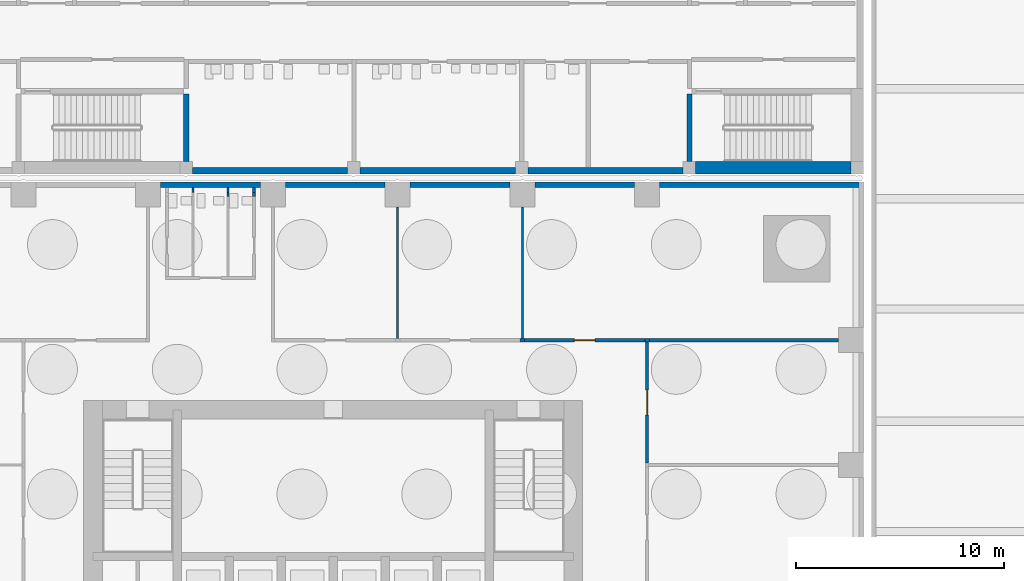
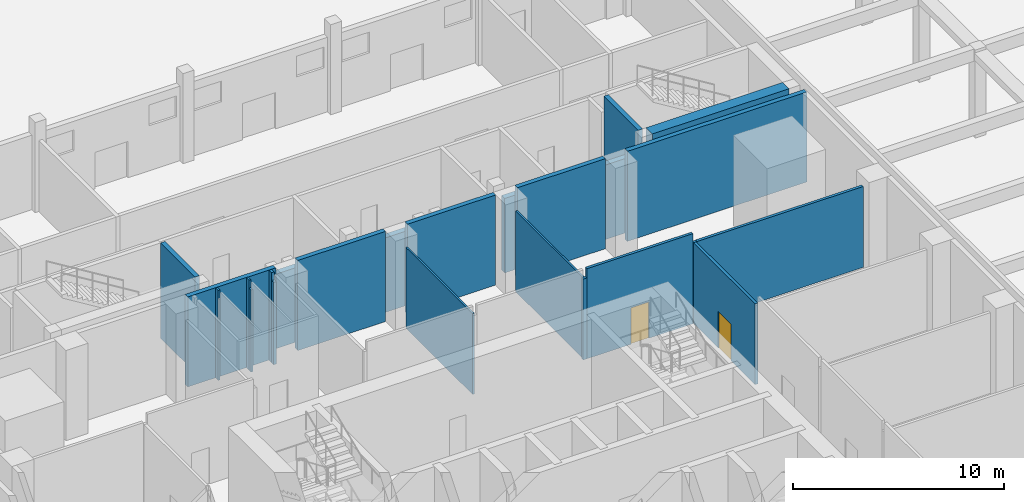
# One storey, part 16 of 33: 23 walls, 2 doors, 2 openings.
"""IFC4 building model written with IfcOpenShell, lengths in metres."""

from ifc_helpers import new_model, si_unit, direction, frame, frame_2d, origin, place, context, subcontext, project, spatial, rectangle, extrude, material, layer, layer_set, type_object, element, fill, save


model = new_model("IFC4")

# Units and contexts
model_context = context("Model", 3, precision=1e-05, world=origin(), true_north=direction((0.0, 1.0)))
body_context = subcontext(model_context, "Body", "Model", "MODEL_VIEW")
ifc_project = project(units=[si_unit("LENGTHUNIT", "METRE"), si_unit("AREAUNIT", "SQUARE_METRE"), si_unit("VOLUMEUNIT", "CUBIC_METRE"), si_unit("PLANEANGLEUNIT", "RADIAN"), si_unit("MASSUNIT", "GRAM", prefix="KILO")], contexts=[model_context])

# Site, building, storey
site_placement = place(None, origin())
site = spatial("IfcSite", under=ifc_project, at=site_placement, CompositionType="ELEMENT")
building_placement = place(site_placement, origin())
building = spatial("IfcBuilding", under=site, at=building_placement, Name="Amberfall Residences", CompositionType="ELEMENT")
storey_placement = place(building_placement, origin())
storey = spatial("IfcBuildingStorey", under=building, at=storey_placement, Name="L00", CompositionType="ELEMENT", Elevation=0.0)

# Walls
ifc_material_1 = material(Name="Gypsum board on steel studs", Category="steel")
ifc_layer_1 = layer(ifc_material_1, 0.10009765625)
ifc_layer_set_1 = layer_set([ifc_layer_1], Name="Partition 100")
wall_type_1 = type_object("IfcWallType", Name="Partition 100", PredefinedType="PARTITIONING", material=ifc_layer_set_1)
wall_1_placement = place(storey_placement, frame((67.760009765625, 67.4951171875, 0.0), z_axis=(0.0, 0.0, 1.0), x_axis=(0.0, 1.0, 0.0)))
element("IfcWall", 1, at=wall_1_placement, inside=storey, type_object=wall_type_1, Name="Partition 100 L00 007", PredefinedType="PARTITIONING", context=body_context, shape_type="SweptSolid", body=[
    extrude(rectangle(XDim=0.244873046875, YDim=0.10009765625, at=frame_2d((0.12255859375, 0.0))), origin(), (0.0, 0.0, 1.0), 5.199951171875),
])
wall_2_placement = place(storey_placement, frame((69.43994140625, 67.30517578125, 0.0), z_axis=(0.0, 0.0, 1.0), x_axis=(0.0, 1.0, 0.0)))
element("IfcWall", 2, at=wall_2_placement, inside=storey, type_object=wall_type_1, Name="Partition 100 L00 009", PredefinedType="PARTITIONING", context=body_context, shape_type="SweptSolid", body=[
    extrude(rectangle(XDim=0.18994140625, YDim=0.10009765625, at=frame_2d((0.094970703125, 0.0))), origin(), (0.0, 0.0, 1.0), 4.7470703125),
])
wall_3_placement = place(storey_placement, frame((69.43994140625, 67.4951171875, 0.0), z_axis=(0.0, 0.0, 1.0), x_axis=(0.0, 1.0, 0.0)))
element("IfcWall", 3, at=wall_3_placement, inside=storey, type_object=wall_type_1, Name="Partition 100 L00 010", PredefinedType="PARTITIONING", context=body_context, shape_type="SweptSolid", body=[
    extrude(rectangle(XDim=0.244873046875, YDim=0.10009765625, at=frame_2d((0.12255859375, 0.0))), origin(), (0.0, 0.0, 1.0), 5.199951171875),
])
for number, where, z_axis, x_axis, name in (
    (4, (77.60009765625, 60.47509765625, 0.0), (0.0, 0.0, 1.0), (0.0, 1.0, 0.0), "Partition 100 L00 011"),
    (5, (83.60009765625, 60.47509765625, 0.0), (0.0, 0.0, 1.0), (0.0, 1.0, 0.0), "Partition 100 L00 012"),
):
    element("IfcWall", number, at=place(storey_placement, frame(where, z_axis=z_axis, x_axis=x_axis)), inside=storey, type_object=wall_type_1, Name=name, PredefinedType="PARTITIONING", context=body_context, shape_type="SweptSolid", body=[
        extrude(rectangle(XDim=6.324951171875, YDim=0.10009765625, at=frame_2d((3.16259765625, 0.0))), origin(), (0.0, 0.0, 1.0), 4.6669921875),
    ])
ifc_material_2 = material(Name="Fire-rated gypsum board on steel studs", Category="steel")
ifc_layer_2 = layer(ifc_material_2, 0.14990234375)
ifc_layer_set_2 = layer_set([ifc_layer_2], Name="Partition 150 fire-rated")
wall_type_2 = type_object("IfcWallType", Name="Partition 150 fire-rated", PredefinedType="PARTITIONING", material=ifc_layer_set_2)
wall_4_placement = place(storey_placement, frame((83.495361328125, 60.39990234375, 0.0), z_axis=(0.0, 0.0, 1.0), x_axis=(1.0, 0.0, 0.0)))
element("IfcWall", 6, at=wall_4_placement, inside=storey, type_object=wall_type_2, Name="Partition 150 fire-rated L00 018", PredefinedType="PARTITIONING", context=body_context, shape_type="SweptSolid", body=[
    extrude(rectangle(XDim=0.209228515625, YDim=0.14990234375, at=frame_2d((0.1044921875, 0.0))), origin(), (0.0, 0.0, 1.0), 4.6669921875),
])

# Wall, opening, door
wall_5_placement = place(storey_placement, frame((83.70458984375, 60.39990234375, 0.0), z_axis=(0.0, 0.0, 1.0), x_axis=(1.0, 0.0, 0.0)))
wall_5 = element("IfcWall", 7, at=wall_5_placement, inside=storey, type_object=wall_type_2, Name="Partition 150 fire-rated L00 019", PredefinedType="PARTITIONING", context=body_context, shape_type="SweptSolid", body=[
    extrude(rectangle(XDim=5.7900390625, YDim=0.14990234375, at=frame_2d((2.89501953125, 0.0))), origin(), (0.0, 0.0, 1.0), 5.199951171875),
])
opening_1_placement = place(wall_5_placement, frame((2.395263671875, 0.0, 0.0)))
opening_1 = element("IfcOpeningElement", 8, at=opening_1_placement, cuts=wall_5, Name="Opening D2", PredefinedType="OPENING", context=body_context, shape_type="SweptSolid", body=[
    extrude(rectangle(XDim=1.0, YDim=2.10009765625, at=frame_2d((0.5, 1.050048828125))), frame((0.0, 0.0849609375, 0.0), z_axis=(0.0, -1.0, 0.0), x_axis=(1.0, 0.0, 0.0)), (0.0, 0.0, 1.0), 0.169921875),
])
ifc_material_3 = material(Name="Steel fire door leaf", Category="steel")
door_type_1 = type_object("IfcDoorType", Name="Fire door 1000x2100 FD30S", OperationType="SINGLE_SWING_LEFT", PredefinedType="DOOR", material=ifc_material_3)
door_1_placement = place(opening_1_placement, origin())
door_1 = element("IfcDoor", 9, at=door_1_placement, inside=storey, type_object=door_type_1, Name="Door Refuse room", OperationType="SINGLE_SWING_LEFT", OverallHeight=2.10009765625, OverallWidth=1.0, PredefinedType="DOOR", context=body_context, shape_type="SweptSolid", body=[
    extrude(rectangle(XDim=1.0, YDim=2.10009765625, at=frame_2d((0.5, 1.050048828125))), frame((0.0, 0.02490234375, 0.0), z_axis=(0.0, -1.0, 0.0), x_axis=(1.0, 0.0, 0.0)), (0.0, 0.0, 1.0), 0.050048828125),
])
fill(opening_1, door_1)

# Walls
wall_6_placement = place(storey_placement, frame((89.49462890625, 60.39990234375, 0.0), z_axis=(0.0, 0.0, 1.0), x_axis=(1.0, 0.0, 0.0)))
element("IfcWall", 10, at=wall_6_placement, inside=storey, type_object=wall_type_2, Name="Partition 150 fire-rated L00 020", PredefinedType="PARTITIONING", context=body_context, shape_type="SweptSolid", body=[
    extrude(rectangle(XDim=0.210693359375, YDim=0.14990234375, at=frame_2d((0.10546875, 0.0))), origin(), (0.0, 0.0, 1.0), 4.659912109375),
])
wall_7_placement = place(storey_placement, frame((89.719970703125, 60.39990234375, 0.0), z_axis=(0.0, 0.0, 1.0), x_axis=(1.0, 0.0, 0.0)))
element("IfcWall", 11, at=wall_7_placement, inside=storey, type_object=wall_type_2, Name="Partition 150 fire-rated L00 021", PredefinedType="PARTITIONING", context=body_context, shape_type="SweptSolid", body=[
    extrude(rectangle(XDim=9.080078125, YDim=0.14990234375, at=frame_2d((4.5400390625, 0.0))), origin(), (0.0, 0.0, 1.0), 4.6669921875),
])
wall_8_placement = place(storey_placement, frame((70.699951171875, 67.30517578125, 0.0), z_axis=(0.0, 0.0, 1.0), x_axis=(0.0, 1.0, 0.0)))
element("IfcWall", 12, at=wall_8_placement, inside=storey, type_object=wall_type_2, Name="Partition 150 fire-rated L00 041", PredefinedType="PARTITIONING", context=body_context, shape_type="SweptSolid", body=[
    extrude(rectangle(XDim=0.18994140625, YDim=0.14990234375, at=frame_2d((0.094970703125, 0.0))), origin(), (0.0, 0.0, 1.0), 4.7470703125),
])
wall_9_placement = place(storey_placement, frame((70.699951171875, 67.4951171875, 0.0), z_axis=(0.0, 0.0, 1.0), x_axis=(0.0, 1.0, 0.0)))
element("IfcWall", 13, at=wall_9_placement, inside=storey, type_object=wall_type_2, Name="Partition 150 fire-rated L00 042", PredefinedType="PARTITIONING", context=body_context, shape_type="SweptSolid", body=[
    extrude(rectangle(XDim=0.244873046875, YDim=0.14990234375, at=frame_2d((0.12255859375, 0.0))), origin(), (0.0, 0.0, 1.0), 5.199951171875),
])

# Wall, opening, door
wall_10_placement = place(storey_placement, frame((89.60009765625, 54.50537109375, 0.0), z_axis=(0.0, 0.0, 1.0), x_axis=(0.0, 1.0, 0.0)))
wall_10 = element("IfcWall", 14, at=wall_10_placement, inside=storey, type_object=wall_type_2, Name="Partition 150 fire-rated L00 056", PredefinedType="PARTITIONING", context=body_context, shape_type="SweptSolid", body=[
    extrude(rectangle(XDim=5.819580078125, YDim=0.14990234375, at=frame_2d((2.90966796875, 0.0))), origin(), (0.0, 0.0, 1.0), 4.659912109375),
])
opening_2_placement = place(wall_10_placement, frame((2.294677734375, 0.0, 0.0)))
opening_2 = element("IfcOpeningElement", 15, at=opening_2_placement, cuts=wall_10, Name="Opening D7", PredefinedType="OPENING", context=body_context, shape_type="SweptSolid", body=[
    extrude(rectangle(XDim=1.199951171875, YDim=2.10009765625, at=frame_2d((0.60009765625, 1.050048828125))), frame((0.0, 0.0849609375, 0.0), z_axis=(0.0, -1.0, 0.0), x_axis=(1.0, 0.0, 0.0)), (0.0, 0.0, 1.0), 0.169921875),
])
door_type_2 = type_object("IfcDoorType", Name="Plant room door 1200x2100", OperationType="SINGLE_SWING_LEFT", PredefinedType="DOOR", material=ifc_material_3)
door_2_placement = place(opening_2_placement, origin())
door_2 = element("IfcDoor", 16, at=door_2_placement, inside=storey, type_object=door_type_2, Name="Door Pump room", OperationType="SINGLE_SWING_LEFT", OverallHeight=2.10009765625, OverallWidth=1.199951171875, PredefinedType="DOOR", context=body_context, shape_type="SweptSolid", body=[
    extrude(rectangle(XDim=1.199951171875, YDim=2.10009765625, at=frame_2d((0.60009765625, 1.050048828125))), frame((0.0, 0.02490234375, 0.0), z_axis=(0.0, -1.0, 0.0), x_axis=(1.0, 0.0, 0.0)), (0.0, 0.0, 1.0), 0.050048828125),
])
fill(opening_2, door_2)

# Walls
ifc_material_4 = material(Name="Precast concrete C40", Category="concrete")
ifc_layer_3 = layer(ifc_material_4, 0.25)
ifc_layer_set_3 = layer_set([ifc_layer_3], Name="Podium external wall 250")
wall_type_3 = type_object("IfcWallType", Name="Podium external wall 250", PredefinedType="SOLIDWALL", material=ifc_layer_set_3)
for number, where, z_axis, x_axis, name in (
    (17, (66.199951171875, 67.875, 0.0), (0.0, 0.0, 1.0), (1.0, 0.0, 0.0), "Podium external wall N3"),
    (18, (72.199951171875, 67.875, 0.0), (0.0, 0.0, 1.0), (1.0, 0.0, 0.0), "Podium external wall N4"),
    (19, (78.199951171875, 67.875, 0.0), (0.0, 0.0, 1.0), (1.0, 0.0, 0.0), "Podium external wall N5"),
    (20, (84.199951171875, 67.875, 0.0), (0.0, 0.0, 1.0), (1.0, 0.0, 0.0), "Podium external wall N6"),
):
    element("IfcWall", number, at=place(storey_placement, frame(where, z_axis=z_axis, x_axis=x_axis)), inside=storey, type_object=wall_type_3, Name=name, PredefinedType="SOLIDWALL", context=body_context, shape_type="SweptSolid", body=[
        extrude(rectangle(XDim=4.800048828125, YDim=0.25, at=frame_2d((2.39990234375, 0.0))), origin(), (0.0, 0.0, 1.0), 5.199951171875),
    ])
wall_11_placement = place(storey_placement, frame((90.199951171875, 67.875, 0.0), z_axis=(0.0, 0.0, 1.0), x_axis=(1.0, 0.0, 0.0)))
element("IfcWall", 21, at=wall_11_placement, inside=storey, type_object=wall_type_3, Name="Podium external wall N7", PredefinedType="SOLIDWALL", context=body_context, shape_type="SweptSolid", body=[
    extrude(rectangle(XDim=9.800048828125, YDim=0.25, at=frame_2d((4.89990234375, 0.0))), origin(), (0.0, 0.0, 1.0), 5.199951171875),
])
ifc_material_5 = material(Name="Aerated block wall")
ifc_layer_4 = layer(ifc_material_5, 0.300048828125)
ifc_layer_set_4 = layer_set([ifc_layer_4], Name="School external wall 300")
wall_type_4 = type_object("IfcWallType", Name="School external wall 300", PredefinedType="SOLIDWALL", material=ifc_layer_set_4)
for number, where, z_axis, x_axis, name in (
    (22, (67.73291015625, 68.550048828125, 0.0), (0.0, 0.0, 1.0), (1.0, 0.0, 0.0), "School external wall L00 EY2"),
    (23, (75.800048828125, 68.550048828125, 0.0), (0.0, 0.0, 1.0), (1.0, 0.0, 0.0), "School external wall L00 EY3"),
):
    element("IfcWall", number, at=place(storey_placement, frame(where, z_axis=z_axis, x_axis=x_axis)), inside=storey, type_object=wall_type_4, Name=name, PredefinedType="SOLIDWALL", context=body_context, shape_type="SweptSolid", body=[
        extrude(rectangle(XDim=7.467041015625, YDim=0.300048828125, at=frame_2d((3.7333984375, 0.0))), origin(), (0.0, 0.0, 1.0), 4.300048828125),
    ])
wall_12_placement = place(storey_placement, frame((83.866943359375, 68.550048828125, 0.0), z_axis=(0.0, 0.0, 1.0), x_axis=(1.0, 0.0, 0.0)))
element("IfcWall", 24, at=wall_12_placement, inside=storey, type_object=wall_type_4, Name="School external wall L00 EY4", PredefinedType="SOLIDWALL", context=body_context, shape_type="SweptSolid", body=[
    extrude(rectangle(XDim=7.466064453125, YDim=0.300048828125, at=frame_2d((3.73291015625, 0.0))), origin(), (0.0, 0.0, 1.0), 4.300048828125),
])
ifc_material_6 = material(Name="Concrete C50", Category="concrete")
ifc_layer_5 = layer(ifc_material_6, 0.25)
ifc_layer_set_5 = layer_set([ifc_layer_5], Name="School stair core wall 250 C50")
wall_type_5 = type_object("IfcWallType", Name="School stair core wall 250 C50", PredefinedType="SHEAR", material=ifc_layer_set_5)
for number, where, z_axis, x_axis, name in (
    (25, (67.43310546875, 69.0, -0.300048828125), (0.0, 0.0, 1.0), (0.0, 1.0, 0.0), "School core wall L00 SS4EW"),
    (26, (91.633056640625, 69.0, -0.300048828125), (0.0, 0.0, 1.0), (0.0, 1.0, 0.0), "School core wall L00 SS5W"),
):
    element("IfcWall", number, at=place(storey_placement, frame(where, z_axis=z_axis, x_axis=x_axis)), inside=storey, type_object=wall_type_5, Name=name, PredefinedType="SHEAR", context=body_context, shape_type="SweptSolid", body=[
        extrude(rectangle(XDim=3.25, YDim=0.25, at=frame_2d((1.625, 0.0))), origin(), (0.0, 0.0, 1.0), 5.5),
    ])
ifc_layer_6 = layer(ifc_material_6, 0.60009765625)
ifc_layer_set_6 = layer_set([ifc_layer_6], Name="School tower-side core wall 600 C50")
wall_type_6 = type_object("IfcWallType", Name="School tower-side core wall 600 C50", PredefinedType="SHEAR", material=ifc_layer_set_6)
wall_13_placement = place(storey_placement, frame((91.93310546875, 68.699951171875, -0.300048828125), z_axis=(0.0, 0.0, 1.0), x_axis=(1.0, 0.0, 0.0)))
element("IfcWall", 27, at=wall_13_placement, inside=storey, type_object=wall_type_6, Name="School core wall L00 SS5S", PredefinedType="SHEAR", context=body_context, shape_type="SweptSolid", body=[
    extrude(rectangle(XDim=7.466796875, YDim=0.60009765625, at=frame_2d((3.7333984375, 0.0))), origin(), (0.0, 0.0, 1.0), 5.5),
])

save(model, "model.ifc")
